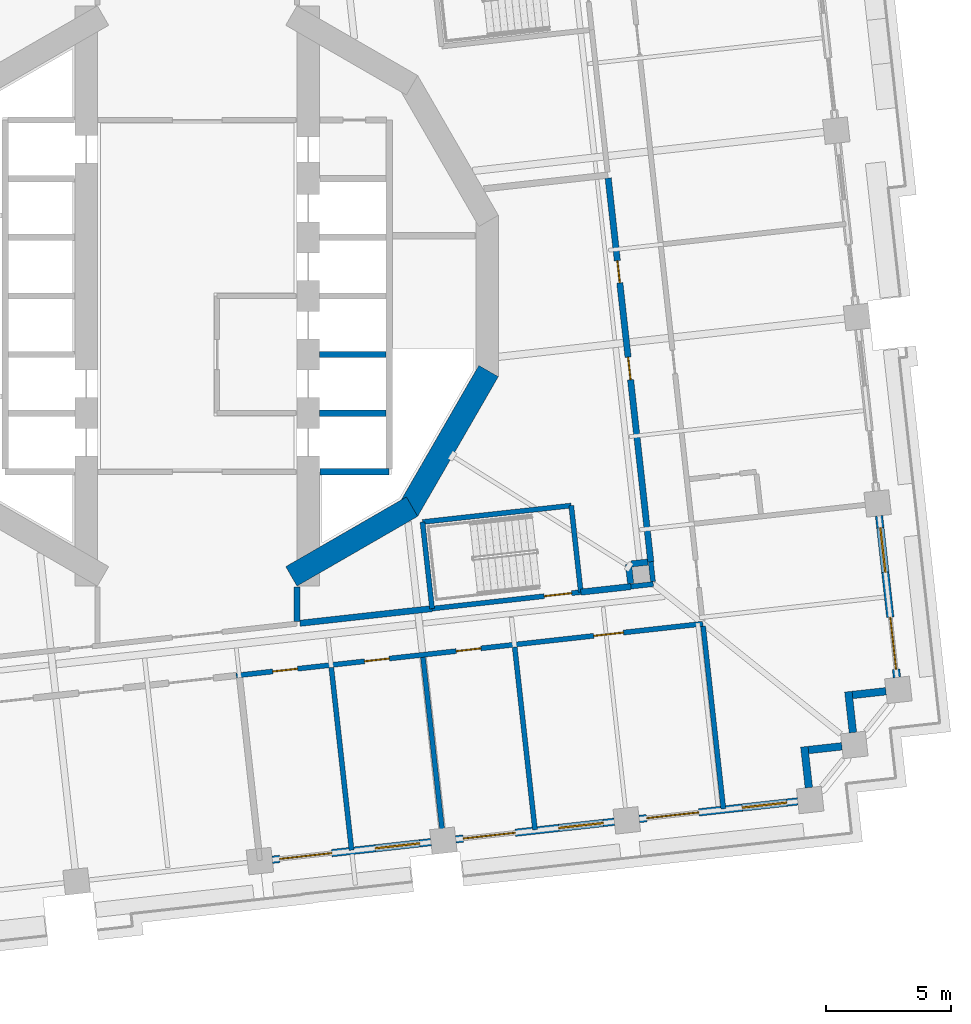
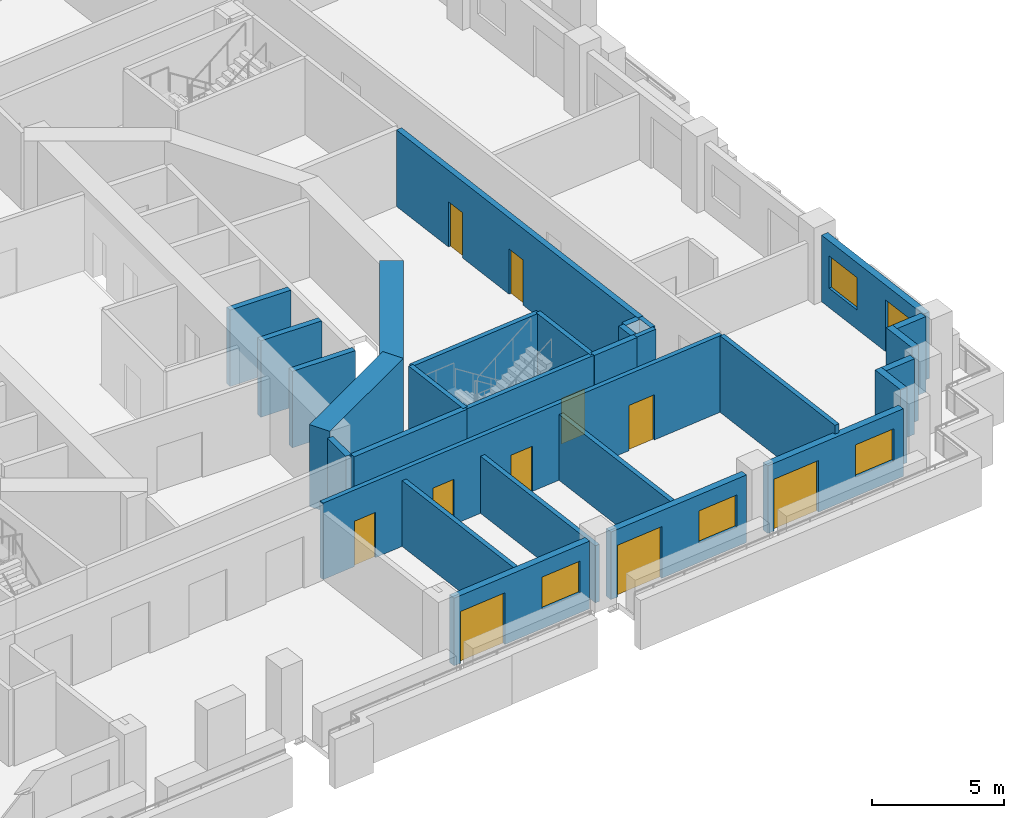
# One storey, part 6 of 18: 30 walls, 11 doors, 4 windows, 15 openings.
"""IFC4 building model written with IfcOpenShell, lengths in metres."""

from ifc_helpers import new_model, si_unit, direction, frame, frame_2d, origin, place, context, subcontext, project, spatial, rectangle, extrude, material, layer, layer_set, type_object, element, fill, save


model = new_model("IFC4")

# Units and contexts
model_context = context("Model", 3, precision=1e-05, world=origin(), true_north=direction((0.0, 1.0)))
body_context = subcontext(model_context, "Body", "Model", "MODEL_VIEW")
ifc_project = project(units=[si_unit("LENGTHUNIT", "METRE"), si_unit("AREAUNIT", "SQUARE_METRE"), si_unit("VOLUMEUNIT", "CUBIC_METRE"), si_unit("PLANEANGLEUNIT", "RADIAN"), si_unit("MASSUNIT", "GRAM", prefix="KILO")], contexts=[model_context])

# Site, building, storey
site_placement = place(None, origin())
site = spatial("IfcSite", under=ifc_project, at=site_placement, CompositionType="ELEMENT")
building_placement = place(site_placement, origin())
building = spatial("IfcBuilding", under=site, at=building_placement, Name="Cantera Rosa Tower", CompositionType="ELEMENT")
storey_placement = place(building_placement, frame((0.0, 0.0, 76.699951171875)))
storey = spatial("IfcBuildingStorey", under=building, at=storey_placement, Name="L16", CompositionType="ELEMENT", Elevation=76.699951171875)

# Wall, openings, doors
ifc_material_1 = material(Name="Gypsum board partition")
ifc_layer_1 = layer(ifc_material_1, 0.199951171875)
ifc_layer_set_1 = layer_set([ifc_layer_1], Name="CORRIDOR WALL 200 H3550")
wall_type_1 = type_object("IfcWallType", Name="CORRIDOR WALL 200 H3550", PredefinedType="PARTITIONING", material=ifc_layer_set_1)
wall_1_placement = place(storey_placement, frame((1.5634765625, -15.220458984375, 0.0), z_axis=(0.0, 0.0, 1.0), x_axis=(0.993896854699, 0.110313381866, 0.0)))
wall_1 = element("IfcWall", 1, at=wall_1_placement, inside=storey, type_object=wall_type_1, Name="CORRIDOR WALL L16-015", PredefinedType="PARTITIONING", context=body_context, shape_type="SweptSolid", body=[
    extrude(rectangle(XDim=18.8251953125, YDim=0.199951171875, at=frame_2d((9.41259765625, 0.0))), origin(), (0.0, 0.0, 1.0), 3.550048828125),
])
opening_1_placement = place(wall_1_placement, frame((1.47509765625, 0.0, 0.0)))
opening_1 = element("IfcOpeningElement", 2, at=opening_1_placement, cuts=wall_1, Name="Opening L16-037", PredefinedType="OPENING", context=body_context, shape_type="SweptSolid", body=[
    extrude(rectangle(XDim=1.0, YDim=2.10009765625, at=frame_2d((0.5, 1.050048828125))), frame((0.0, 0.10986328125, 0.0), z_axis=(0.0, -1.0, 0.0), x_axis=(1.0, 0.0, 0.0)), (0.0, 0.0, 1.0), 0.219970703125),
])
opening_2_placement = place(wall_1_placement, frame((5.175048828125, 0.0, 0.0)))
opening_2 = element("IfcOpeningElement", 3, at=opening_2_placement, cuts=wall_1, Name="Opening L16-038", PredefinedType="OPENING", context=body_context, shape_type="SweptSolid", body=[
    extrude(rectangle(XDim=1.0, YDim=2.10009765625, at=frame_2d((0.5, 1.050048828125))), frame((0.0, 0.10986328125, 0.0), z_axis=(0.0, -1.0, 0.0), x_axis=(1.0, 0.0, 0.0)), (0.0, 0.0, 1.0), 0.219970703125),
])
opening_3_placement = place(wall_1_placement, frame((8.875, 0.0, 0.0)))
opening_3 = element("IfcOpeningElement", 4, at=opening_3_placement, cuts=wall_1, Name="Opening L16-039", PredefinedType="OPENING", context=body_context, shape_type="SweptSolid", body=[
    extrude(rectangle(XDim=1.0, YDim=2.10009765625, at=frame_2d((0.5, 1.050048828125))), frame((0.0, 0.10986328125, 0.0), z_axis=(0.0, -1.0, 0.0), x_axis=(1.0, 0.0, 0.0)), (0.0, 0.0, 1.0), 0.219970703125),
])
opening_4_placement = place(wall_1_placement, frame((14.425048828125, 0.0, 0.0)))
opening_4 = element("IfcOpeningElement", 5, at=opening_4_placement, cuts=wall_1, Name="Opening L16-040", PredefinedType="OPENING", context=body_context, shape_type="SweptSolid", body=[
    extrude(rectangle(XDim=1.199951171875, YDim=2.10009765625, at=frame_2d((0.60009765625, 1.050048828125))), frame((0.0, 0.10986328125, 0.0), z_axis=(0.0, -1.0, 0.0), x_axis=(1.0, 0.0, 0.0)), (0.0, 0.0, 1.0), 0.219970703125),
])
ifc_material_2 = material(Name="Timber door leaf", Category="wood")
door_type_1 = type_object("IfcDoorType", Name="ROOM DOOR 1000x2100", OperationType="NOTDEFINED", PredefinedType="DOOR", material=ifc_material_2)
door_1_placement = place(opening_1_placement, origin())
door_1 = element("IfcDoor", 6, at=door_1_placement, inside=storey, type_object=door_type_1, Name="DOOR L16-037", OperationType="NOTDEFINED", OverallHeight=2.10009765625, OverallWidth=1.0, PredefinedType="DOOR", context=body_context, shape_type="SweptSolid", body=[
    extrude(rectangle(XDim=1.0, YDim=2.10009765625, at=frame_2d((0.5, 1.050048828125))), frame((0.0, 0.02490234375, 0.0), z_axis=(0.0, -1.0, 0.0), x_axis=(1.0, 0.0, 0.0)), (0.0, 0.0, 1.0), 0.050048828125),
])
fill(opening_1, door_1)
door_2_placement = place(opening_2_placement, origin())
door_2 = element("IfcDoor", 7, at=door_2_placement, inside=storey, type_object=door_type_1, Name="DOOR L16-038", OperationType="NOTDEFINED", OverallHeight=2.10009765625, OverallWidth=1.0, PredefinedType="DOOR", context=body_context, shape_type="SweptSolid", body=[
    extrude(rectangle(XDim=1.0, YDim=2.10009765625, at=frame_2d((0.5, 1.050048828125))), frame((0.0, 0.02490234375, 0.0), z_axis=(0.0, -1.0, 0.0), x_axis=(1.0, 0.0, 0.0)), (0.0, 0.0, 1.0), 0.050048828125),
])
fill(opening_2, door_2)
door_3_placement = place(opening_3_placement, origin())
door_3 = element("IfcDoor", 8, at=door_3_placement, inside=storey, type_object=door_type_1, Name="DOOR L16-039", OperationType="NOTDEFINED", OverallHeight=2.10009765625, OverallWidth=1.0, PredefinedType="DOOR", context=body_context, shape_type="SweptSolid", body=[
    extrude(rectangle(XDim=1.0, YDim=2.10009765625, at=frame_2d((0.5, 1.050048828125))), frame((0.0, 0.02490234375, 0.0), z_axis=(0.0, -1.0, 0.0), x_axis=(1.0, 0.0, 0.0)), (0.0, 0.0, 1.0), 0.050048828125),
])
fill(opening_3, door_3)
ifc_material_3 = material(Name="Timber door leaf", Category="wood")
door_type_2 = type_object("IfcDoorType", Name="ROOM DOOR 1200x2100", OperationType="NOTDEFINED", PredefinedType="DOOR", material=ifc_material_3)
door_4_placement = place(opening_4_placement, origin())
door_4 = element("IfcDoor", 9, at=door_4_placement, inside=storey, type_object=door_type_2, Name="DOOR L16-040", OperationType="NOTDEFINED", OverallHeight=2.10009765625, OverallWidth=1.199951171875, PredefinedType="DOOR", context=body_context, shape_type="SweptSolid", body=[
    extrude(rectangle(XDim=1.199951171875, YDim=2.10009765625, at=frame_2d((0.60009765625, 1.050048828125))), frame((0.0, 0.02490234375, 0.0), z_axis=(0.0, -1.0, 0.0), x_axis=(1.0, 0.0, 0.0)), (0.0, 0.0, 1.0), 0.050048828125),
])
fill(opening_4, door_4)

# Walls
wall_2_placement = place(storey_placement, frame((17.3916015625, -11.652587890625, 0.0), z_axis=(0.0, 0.0, 1.0), x_axis=(0.993887042245, 0.110401753874, 0.0)))
element("IfcWall", 10, at=wall_2_placement, inside=storey, type_object=wall_type_1, Name="CORRIDOR WALL L16-094", PredefinedType="PARTITIONING", context=body_context, shape_type="SweptSolid", body=[
    extrude(rectangle(XDim=0.900146484375, YDim=0.199951171875, at=frame_2d((0.4501953125, 0.0))), origin(), (0.0, 0.0, 1.0), 3.550048828125),
])
wall_3_placement = place(storey_placement, frame((18.27490234375, -11.453857421875, 0.0), z_axis=(0.0, 0.0, 1.0), x_axis=(-0.110163574714, 0.993913470482, 0.0)))
element("IfcWall", 11, at=wall_3_placement, inside=storey, type_object=wall_type_1, Name="CORRIDOR WALL L16-097", PredefinedType="PARTITIONING", context=body_context, shape_type="SweptSolid", body=[
    extrude(rectangle(XDim=0.800048828125, YDim=0.199951171875, at=frame_2d((0.39990234375, 0.0))), origin(), (0.0, 0.0, 1.0), 3.550048828125),
])
ifc_material_4 = material(Name="Hollow clay masonry with cantera stone cladding", Category="masonry")
ifc_layer_2 = layer(ifc_material_4, 0.300048828125)
ifc_layer_set_2 = layer_set([ifc_layer_2], Name="EW-LOGGIA 300")
wall_type_2 = type_object("IfcWallType", Name="EW-LOGGIA 300", PredefinedType="SOLIDWALL", material=ifc_layer_set_2)
wall_4_placement = place(storey_placement, frame((24.5244140625, -19.71484375, 0.0), z_axis=(0.0, 0.0, 1.0), x_axis=(-0.110236638423, 0.993905369514, 0.0)))
element("IfcWall", 12, at=wall_4_placement, inside=storey, type_object=wall_type_2, Name="EN-L16-W29a", PredefinedType="SOLIDWALL", context=body_context, shape_type="SweptSolid", body=[
    extrude(rectangle(XDim=1.64990234375, YDim=0.300048828125, at=frame_2d((0.824951171875, 0.0))), origin(), (0.0, 0.0, 1.0), 3.5),
])
wall_5_placement = place(storey_placement, frame((24.508056640625, -18.20751953125, 0.0), z_axis=(0.0, 0.0, 1.0), x_axis=(0.993896959738, 0.110312435488, 0.0)))
element("IfcWall", 13, at=wall_5_placement, inside=storey, type_object=wall_type_2, Name="EN-L16-W29b", PredefinedType="SOLIDWALL", context=body_context, shape_type="SweptSolid", body=[
    extrude(rectangle(XDim=1.35009765625, YDim=0.300048828125, at=frame_2d((0.675048828125, 0.0))), origin(), (0.0, 0.0, 1.0), 3.5),
])
wall_6_placement = place(storey_placement, frame((26.291748046875, -17.506591796875, 0.0), z_axis=(0.0, 0.0, 1.0), x_axis=(-0.110382805355, 0.993889146878, 0.0)))
element("IfcWall", 14, at=wall_6_placement, inside=storey, type_object=wall_type_2, Name="EN-L16-W30a", PredefinedType="SOLIDWALL", context=body_context, shape_type="SweptSolid", body=[
    extrude(rectangle(XDim=1.64990234375, YDim=0.300048828125, at=frame_2d((0.824951171875, 0.0))), origin(), (0.0, 0.0, 1.0), 3.5),
])
wall_7_placement = place(storey_placement, frame((26.275146484375, -15.999267578125, 0.0), z_axis=(0.0, 0.0, 1.0), x_axis=(0.993896959738, 0.110312435488, 0.0)))
element("IfcWall", 15, at=wall_7_placement, inside=storey, type_object=wall_type_2, Name="EN-L16-W30b", PredefinedType="SOLIDWALL", context=body_context, shape_type="SweptSolid", body=[
    extrude(rectangle(XDim=1.35009765625, YDim=0.300048828125, at=frame_2d((0.675048828125, 0.0))), origin(), (0.0, 0.0, 1.0), 3.5),
])

# Wall, openings, window, door
ifc_material_5 = material(Name="Hollow clay masonry with cantera stone cladding", Category="masonry")
ifc_layer_3 = layer(ifc_material_5, 0.300048828125)
ifc_layer_set_3 = layer_set([ifc_layer_3], Name="EW-LOGGIA 300 H3090")
wall_type_3 = type_object("IfcWallType", Name="EW-LOGGIA 300 H3090", PredefinedType="SOLIDWALL", material=ifc_layer_set_3)
wall_8_placement = place(storey_placement, frame((28.058837890625, -15.298095703125, 0.0), z_axis=(0.0, 0.0, 1.0), x_axis=(-0.110312341265, 0.993896970196, 0.0)))
wall_8 = element("IfcWall", 16, at=wall_8_placement, inside=storey, type_object=wall_type_3, Name="EN-L16-W01", PredefinedType="SOLIDWALL", context=body_context, shape_type="SweptSolid", body=[
    extrude(rectangle(XDim=6.52001953125, YDim=0.300048828125, at=frame_2d((3.260009765625, 0.0))), origin(), (0.0, 0.0, 1.0), 3.090087890625),
])
opening_5_placement = place(wall_8_placement, frame((0.330078125, 0.0, 0.0)))
opening_5 = element("IfcOpeningElement", 17, at=opening_5_placement, cuts=wall_8, Name="Opening L16-TD01", PredefinedType="OPENING", context=body_context, shape_type="SweptSolid", body=[
    extrude(rectangle(XDim=2.10009765625, YDim=2.39990234375, at=frame_2d((1.050048828125, 1.199951171875))), frame((0.0, 0.159912109375, 0.0), z_axis=(0.0, -1.0, 0.0), x_axis=(1.0, 0.0, 0.0)), (0.0, 0.0, 1.0), 0.320068359375),
])
opening_6_placement = place(wall_8_placement, frame((4.239990234375, 0.0, 0.89990234375)))
opening_6 = element("IfcOpeningElement", 18, at=opening_6_placement, cuts=wall_8, Name="Opening L16-W02", PredefinedType="OPENING", context=body_context, shape_type="SweptSolid", body=[
    extrude(rectangle(XDim=1.800048828125, YDim=1.5, at=frame_2d((0.89990234375, 0.75))), frame((0.0, 0.159912109375, 0.0), z_axis=(0.0, -1.0, 0.0), x_axis=(1.0, 0.0, 0.0)), (0.0, 0.0, 1.0), 0.320068359375),
])
ifc_material_6 = material(Name="Aluminium frame with clear glass", Category="aluminium")
window_type = type_object("IfcWindowType", Name="Hotel room window 1800x1500", PartitioningType="DOUBLE_PANEL_VERTICAL", PredefinedType="WINDOW", material=ifc_material_6)
window_1_placement = place(opening_6_placement, origin())
window_1 = element("IfcWindow", 19, at=window_1_placement, inside=storey, type_object=window_type, Name="WINDOW L16-W02", OverallHeight=1.5, OverallWidth=1.800048828125, PartitioningType="SINGLE_PANEL", PredefinedType="WINDOW", context=body_context, shape_type="SweptSolid", body=[
    extrude(rectangle(XDim=1.800048828125, YDim=1.5, at=frame_2d((0.89990234375, 0.75))), frame((0.0, 0.030029296875, 0.0), z_axis=(0.0, -1.0, 0.0), x_axis=(1.0, 0.0, 0.0)), (0.0, 0.0, 1.0), 0.06005859375),
])
fill(opening_6, window_1)
ifc_material_7 = material(Name="Aluminium frame with clear glass", Category="aluminium")
door_type_3 = type_object("IfcDoorType", Name="TD-H 2100x2400", OperationType="NOTDEFINED", PredefinedType="DOOR", material=ifc_material_7)
door_5_placement = place(opening_5_placement, origin())
door_5 = element("IfcDoor", 20, at=door_5_placement, inside=storey, type_object=door_type_3, Name="LOGGIA DOOR L16-TD01", OperationType="SLIDING_TO_LEFT", OverallHeight=2.39990234375, OverallWidth=2.10009765625, PredefinedType="DOOR", context=body_context, shape_type="SweptSolid", body=[
    extrude(rectangle(XDim=2.10009765625, YDim=2.39990234375, at=frame_2d((1.050048828125, 1.199951171875))), frame((0.0, 0.02490234375, 0.0), z_axis=(0.0, -1.0, 0.0), x_axis=(1.0, 0.0, 0.0)), (0.0, 0.0, 1.0), 0.050048828125),
])
fill(opening_5, door_5)

ifc_material_8 = material(Name="Hollow clay masonry with cantera stone cladding", Category="masonry")
ifc_layer_4 = layer(ifc_material_8, 0.300048828125)
ifc_layer_set_4 = layer_set([ifc_layer_4], Name="EW-LOGGIA 300 H3140")
wall_type_4 = type_object("IfcWallType", Name="EW-LOGGIA 300 H3140", PredefinedType="SOLIDWALL", material=ifc_layer_set_4)
wall_9_placement = place(storey_placement, frame((3.011962890625, -22.605712890625, 0.0), z_axis=(0.0, 0.0, 1.0), x_axis=(0.993896288542, 0.110318482689, 0.0)))
wall_9 = element("IfcWall", 21, at=wall_9_placement, inside=storey, type_object=wall_type_4, Name="EN-L16-W26", PredefinedType="SOLIDWALL", context=body_context, shape_type="SweptSolid", body=[
    extrude(rectangle(XDim=6.400146484375, YDim=0.300048828125, at=frame_2d((3.2001953125, 0.0))), origin(), (0.0, 0.0, 1.0), 3.14013671875),
])
opening_7_placement = place(wall_9_placement, frame((0.300048828125, 0.0, 0.0)))
opening_7 = element("IfcOpeningElement", 22, at=opening_7_placement, cuts=wall_9, Name="Opening L16-TD35", PredefinedType="OPENING", context=body_context, shape_type="SweptSolid", body=[
    extrude(rectangle(XDim=2.10009765625, YDim=2.39990234375, at=frame_2d((1.050048828125, 1.199951171875))), frame((0.0, 0.159912109375, 0.0), z_axis=(0.0, -1.0, 0.0), x_axis=(1.0, 0.0, 0.0)), (0.0, 0.0, 1.0), 0.320068359375),
])
opening_8_placement = place(wall_9_placement, frame((4.14990234375, 0.0, 0.89990234375)))
opening_8 = element("IfcOpeningElement", 23, at=opening_8_placement, cuts=wall_9, Name="Opening L16-W36", PredefinedType="OPENING", context=body_context, shape_type="SweptSolid", body=[
    extrude(rectangle(XDim=1.800048828125, YDim=1.5, at=frame_2d((0.89990234375, 0.75))), frame((0.0, 0.159912109375, 0.0), z_axis=(0.0, -1.0, 0.0), x_axis=(1.0, 0.0, 0.0)), (0.0, 0.0, 1.0), 0.320068359375),
])
window_2_placement = place(opening_8_placement, origin())
window_2 = element("IfcWindow", 24, at=window_2_placement, inside=storey, type_object=window_type, Name="WINDOW L16-W36", OverallHeight=1.5, OverallWidth=1.800048828125, PartitioningType="SINGLE_PANEL", PredefinedType="WINDOW", context=body_context, shape_type="SweptSolid", body=[
    extrude(rectangle(XDim=1.800048828125, YDim=1.5, at=frame_2d((0.89990234375, 0.75))), frame((0.0, 0.030029296875, 0.0), z_axis=(0.0, -1.0, 0.0), x_axis=(1.0, 0.0, 0.0)), (0.0, 0.0, 1.0), 0.06005859375),
])
fill(opening_8, window_2)
door_6_placement = place(opening_7_placement, origin())
door_6 = element("IfcDoor", 25, at=door_6_placement, inside=storey, type_object=door_type_3, Name="LOGGIA DOOR L16-TD35", OperationType="SLIDING_TO_LEFT", OverallHeight=2.39990234375, OverallWidth=2.10009765625, PredefinedType="DOOR", context=body_context, shape_type="SweptSolid", body=[
    extrude(rectangle(XDim=2.10009765625, YDim=2.39990234375, at=frame_2d((1.050048828125, 1.199951171875))), frame((0.0, 0.02490234375, 0.0), z_axis=(0.0, -1.0, 0.0), x_axis=(1.0, 0.0, 0.0)), (0.0, 0.0, 1.0), 0.050048828125),
])
fill(opening_7, door_6)

wall_10_placement = place(storey_placement, frame((10.366943359375, -21.789306640625, 0.0), z_axis=(0.0, 0.0, 1.0), x_axis=(0.993900006422, 0.110284981906, 0.0)))
wall_10 = element("IfcWall", 26, at=wall_10_placement, inside=storey, type_object=wall_type_4, Name="EN-L16-W27", PredefinedType="SOLIDWALL", context=body_context, shape_type="SweptSolid", body=[
    extrude(rectangle(XDim=6.39990234375, YDim=0.300048828125, at=frame_2d((3.199951171875, 0.0))), origin(), (0.0, 0.0, 1.0), 3.14013671875),
])
opening_9_placement = place(wall_10_placement, frame((0.300048828125, 0.0, 0.0)))
opening_9 = element("IfcOpeningElement", 27, at=opening_9_placement, cuts=wall_10, Name="Opening L16-TD37", PredefinedType="OPENING", context=body_context, shape_type="SweptSolid", body=[
    extrude(rectangle(XDim=2.10009765625, YDim=2.39990234375, at=frame_2d((1.050048828125, 1.199951171875))), frame((0.0, 0.159912109375, 0.0), z_axis=(0.0, -1.0, 0.0), x_axis=(1.0, 0.0, 0.0)), (0.0, 0.0, 1.0), 0.320068359375),
])
opening_10_placement = place(wall_10_placement, frame((4.14990234375, 0.0, 0.89990234375)))
opening_10 = element("IfcOpeningElement", 28, at=opening_10_placement, cuts=wall_10, Name="Opening L16-W38", PredefinedType="OPENING", context=body_context, shape_type="SweptSolid", body=[
    extrude(rectangle(XDim=1.800048828125, YDim=1.5, at=frame_2d((0.89990234375, 0.75))), frame((0.0, 0.159912109375, 0.0), z_axis=(0.0, -1.0, 0.0), x_axis=(1.0, 0.0, 0.0)), (0.0, 0.0, 1.0), 0.320068359375),
])
window_3_placement = place(opening_10_placement, origin())
window_3 = element("IfcWindow", 29, at=window_3_placement, inside=storey, type_object=window_type, Name="WINDOW L16-W38", OverallHeight=1.5, OverallWidth=1.800048828125, PartitioningType="SINGLE_PANEL", PredefinedType="WINDOW", context=body_context, shape_type="SweptSolid", body=[
    extrude(rectangle(XDim=1.800048828125, YDim=1.5, at=frame_2d((0.89990234375, 0.75))), frame((0.0, 0.030029296875, 0.0), z_axis=(0.0, -1.0, 0.0), x_axis=(1.0, 0.0, 0.0)), (0.0, 0.0, 1.0), 0.06005859375),
])
fill(opening_10, window_3)
door_7_placement = place(opening_9_placement, origin())
door_7 = element("IfcDoor", 30, at=door_7_placement, inside=storey, type_object=door_type_3, Name="LOGGIA DOOR L16-TD37", OperationType="SLIDING_TO_LEFT", OverallHeight=2.39990234375, OverallWidth=2.10009765625, PredefinedType="DOOR", context=body_context, shape_type="SweptSolid", body=[
    extrude(rectangle(XDim=2.10009765625, YDim=2.39990234375, at=frame_2d((1.050048828125, 1.199951171875))), frame((0.0, 0.02490234375, 0.0), z_axis=(0.0, -1.0, 0.0), x_axis=(1.0, 0.0, 0.0)), (0.0, 0.0, 1.0), 0.050048828125),
])
fill(opening_9, door_7)

wall_11_placement = place(storey_placement, frame((17.7216796875, -20.97314453125, 0.0), z_axis=(0.0, 0.0, 1.0), x_axis=(0.993896288542, 0.110318482689, 0.0)))
wall_11 = element("IfcWall", 31, at=wall_11_placement, inside=storey, type_object=wall_type_4, Name="EN-L16-W28", PredefinedType="SOLIDWALL", context=body_context, shape_type="SweptSolid", body=[
    extrude(rectangle(XDim=6.400146484375, YDim=0.300048828125, at=frame_2d((3.2001953125, 0.0))), origin(), (0.0, 0.0, 1.0), 3.14013671875),
])
opening_11_placement = place(wall_11_placement, frame((0.300048828125, 0.0, 0.0)))
opening_11 = element("IfcOpeningElement", 32, at=opening_11_placement, cuts=wall_11, Name="Opening L16-TD39", PredefinedType="OPENING", context=body_context, shape_type="SweptSolid", body=[
    extrude(rectangle(XDim=2.10009765625, YDim=2.39990234375, at=frame_2d((1.050048828125, 1.199951171875))), frame((0.0, 0.159912109375, 0.0), z_axis=(0.0, -1.0, 0.0), x_axis=(1.0, 0.0, 0.0)), (0.0, 0.0, 1.0), 0.320068359375),
])
opening_12_placement = place(wall_11_placement, frame((4.14990234375, 0.0, 0.89990234375)))
opening_12 = element("IfcOpeningElement", 33, at=opening_12_placement, cuts=wall_11, Name="Opening L16-W40", PredefinedType="OPENING", context=body_context, shape_type="SweptSolid", body=[
    extrude(rectangle(XDim=1.800048828125, YDim=1.5, at=frame_2d((0.89990234375, 0.75))), frame((0.0, 0.159912109375, 0.0), z_axis=(0.0, -1.0, 0.0), x_axis=(1.0, 0.0, 0.0)), (0.0, 0.0, 1.0), 0.320068359375),
])
window_4_placement = place(opening_12_placement, origin())
window_4 = element("IfcWindow", 34, at=window_4_placement, inside=storey, type_object=window_type, Name="WINDOW L16-W40", OverallHeight=1.5, OverallWidth=1.800048828125, PartitioningType="SINGLE_PANEL", PredefinedType="WINDOW", context=body_context, shape_type="SweptSolid", body=[
    extrude(rectangle(XDim=1.800048828125, YDim=1.5, at=frame_2d((0.89990234375, 0.75))), frame((0.0, 0.030029296875, 0.0), z_axis=(0.0, -1.0, 0.0), x_axis=(1.0, 0.0, 0.0)), (0.0, 0.0, 1.0), 0.06005859375),
])
fill(opening_12, window_4)
door_8_placement = place(opening_11_placement, origin())
door_8 = element("IfcDoor", 35, at=door_8_placement, inside=storey, type_object=door_type_3, Name="LOGGIA DOOR L16-TD39", OperationType="SLIDING_TO_LEFT", OverallHeight=2.39990234375, OverallWidth=2.10009765625, PredefinedType="DOOR", context=body_context, shape_type="SweptSolid", body=[
    extrude(rectangle(XDim=2.10009765625, YDim=2.39990234375, at=frame_2d((1.050048828125, 1.199951171875))), frame((0.0, 0.02490234375, 0.0), z_axis=(0.0, -1.0, 0.0), x_axis=(1.0, 0.0, 0.0)), (0.0, 0.0, 1.0), 0.050048828125),
])
fill(opening_11, door_8)

# Walls
ifc_material_9 = material(Name="Gypsum board partition")
ifc_layer_5 = layer(ifc_material_9, 0.199951171875)
ifc_layer_set_5 = layer_set([ifc_layer_5], Name="PARTITION 200 H2650")
wall_type_5 = type_object("IfcWallType", Name="PARTITION 200 H2650", PredefinedType="PARTITIONING", material=ifc_layer_set_5)
wall_12_placement = place(storey_placement, frame((9.0537109375, -14.48974609375, 0.0), z_axis=(0.0, 0.0, 1.0), x_axis=(0.11031154238, -0.993897058864, 0.0)))
element("IfcWall", 36, at=wall_12_placement, inside=storey, type_object=wall_type_5, Name="PARTITION L16-072", PredefinedType="PARTITIONING", context=body_context, shape_type="SweptSolid", body=[
    extrude(rectangle(XDim=7.369873046875, YDim=0.199951171875, at=frame_2d((3.68505859375, 0.0))), origin(), (0.0, 0.0, 1.0), 2.650146484375),
])
ifc_material_10 = material(Name="Gypsum board partition")
ifc_layer_6 = layer(ifc_material_10, 0.199951171875)
ifc_layer_set_6 = layer_set([ifc_layer_6], Name="PARTITION 200 H3050")
wall_type_6 = type_object("IfcWallType", Name="PARTITION 200 H3050", PredefinedType="PARTITIONING", material=ifc_layer_set_6)
for number, where, z_axis, x_axis, name in (
    (37, (5.376220703125, -14.89794921875, 0.0), (0.0, 0.0, 1.0), (0.11031154238, -0.993897058864, 0.0), "PARTITION L16-064"),
    (38, (12.731201171875, -14.08154296875, 0.0), (0.0, 0.0, 1.0), (0.11031154238, -0.993897058864, 0.0), "PARTITION L16-078"),
):
    element("IfcWall", number, at=place(storey_placement, frame(where, z_axis=z_axis, x_axis=x_axis)), inside=storey, type_object=wall_type_6, Name=name, PredefinedType="PARTITIONING", context=body_context, shape_type="SweptSolid", body=[
        extrude(rectangle(XDim=7.369873046875, YDim=0.199951171875, at=frame_2d((3.68505859375, 0.0))), origin(), (0.0, 0.0, 1.0), 3.050048828125),
    ])
ifc_material_11 = material(Name="Gypsum board partition")
ifc_layer_7 = layer(ifc_material_11, 0.199951171875)
ifc_layer_set_7 = layer_set([ifc_layer_7], Name="PARTITION 200 H3550")
wall_type_7 = type_object("IfcWallType", Name="PARTITION 200 H3550", PredefinedType="PARTITIONING", material=ifc_layer_set_7)
wall_13_placement = place(storey_placement, frame((21.09765625, -20.568115234375, 0.0), z_axis=(0.0, 0.0, 1.0), x_axis=(-0.11031154238, 0.993897058864, 0.0)))
element("IfcWall", 39, at=wall_13_placement, inside=storey, type_object=wall_type_7, Name="PARTITION L16-101", PredefinedType="PARTITIONING", context=body_context, shape_type="SweptSolid", body=[
    extrude(rectangle(XDim=7.369873046875, YDim=0.199951171875, at=frame_2d((3.68505859375, 0.0))), origin(), (0.0, 0.0, 1.0), 3.550048828125),
])
ifc_material_12 = material(Name="Concrete C70/85", Category="concrete")
ifc_layer_8 = layer(ifc_material_12, 0.89990234375)
ifc_layer_set_8 = layer_set([ifc_layer_8], Name="RC CORE WALL 900 C70/85")
wall_type_8 = type_object("IfcWallType", Name="RC CORE WALL 900 C70/85", PredefinedType="SHEAR", material=ifc_layer_set_8)
wall_14_placement = place(storey_placement, frame((11.684326171875, -3.01025390625, 0.0), z_axis=(0.0, 0.0, 1.0), x_axis=(-0.499990282633, -0.866031014036, 0.0)))
element("IfcWall", 40, at=wall_14_placement, inside=storey, type_object=wall_type_8, Name="CW-E4 L16", PredefinedType="SHEAR", context=body_context, shape_type="SweptSolid", body=[
    extrude(rectangle(XDim=6.470458984375, YDim=0.89990234375, at=frame_2d((3.2353515625, 0.0))), origin(), (0.0, 0.0, 1.0), 3.800048828125),
])
wall_15_placement = place(storey_placement, frame((8.61376953125, -8.44921875, 0.0), z_axis=(0.0, 0.0, 1.0), x_axis=(-0.866026961591, -0.49999730179, 0.0)))
element("IfcWall", 41, at=wall_15_placement, inside=storey, type_object=wall_type_8, Name="CW-E5 L16", PredefinedType="SHEAR", context=body_context, shape_type="SweptSolid", body=[
    extrude(rectangle(XDim=5.58740234375, YDim=0.89990234375, at=frame_2d((2.793701171875, 0.0))), origin(), (0.0, 0.0, 1.0), 3.800048828125),
])
ifc_material_13 = material(Name="Masonry blockwork", Category="masonry")
ifc_layer_9 = layer(ifc_material_13, 0.25)
ifc_layer_set_9 = layer_set([ifc_layer_9], Name="SHAFT WALL 250 H3550")
wall_type_9 = type_object("IfcWallType", Name="SHAFT WALL 250 H3550", PredefinedType="SOLIDWALL", material=ifc_layer_set_9)
wall_16_placement = place(storey_placement, frame((4.0, -13.058837890625, 0.0), z_axis=(0.0, 0.0, 1.0), x_axis=(0.0, 1.0, 0.0)))
element("IfcWall", 42, at=wall_16_placement, inside=storey, type_object=wall_type_9, Name="SHAFT WALL L16-058", PredefinedType="SOLIDWALL", context=body_context, shape_type="SweptSolid", body=[
    extrude(rectangle(XDim=1.3916015625, YDim=0.25, at=frame_2d((0.69580078125, 0.0))), origin(), (0.0, 0.0, 1.0), 3.550048828125),
])
wall_17_placement = place(storey_placement, frame((4.119384765625, -13.125732421875, 0.0), z_axis=(0.0, 0.0, 1.0), x_axis=(0.993897686816, 0.110305884435, 0.0)))
element("IfcWall", 43, at=wall_17_placement, inside=storey, type_object=wall_type_9, Name="SHAFT WALL L16-059", PredefinedType="SOLIDWALL", context=body_context, shape_type="SweptSolid", body=[
    extrude(rectangle(XDim=5.331787109375, YDim=0.25, at=frame_2d((2.666015625, 0.0))), origin(), (0.0, 0.0, 1.0), 3.550048828125),
])
wall_18_placement = place(storey_placement, frame((4.89990234375, -4.699951171875, 0.0), z_axis=(0.0, 0.0, 1.0), x_axis=(1.0, 0.0, 0.0)))
element("IfcWall", 44, at=wall_18_placement, inside=storey, type_object=wall_type_9, Name="SHAFT WALL L16-061", PredefinedType="SOLIDWALL", context=body_context, shape_type="SweptSolid", body=[
    extrude(rectangle(XDim=2.675048828125, YDim=0.25, at=frame_2d((1.33740234375, 0.0))), origin(), (0.0, 0.0, 1.0), 3.550048828125),
])
wall_19_placement = place(storey_placement, frame((4.929931640625, -7.050048828125, 0.0), z_axis=(0.0, 0.0, 1.0), x_axis=(1.0, 0.0, 0.0)))
element("IfcWall", 45, at=wall_19_placement, inside=storey, type_object=wall_type_9, Name="SHAFT WALL L16-063", PredefinedType="SOLIDWALL", context=body_context, shape_type="SweptSolid", body=[
    extrude(rectangle(XDim=2.77001953125, YDim=0.25, at=frame_2d((1.385009765625, 0.0))), origin(), (0.0, 0.0, 1.0), 3.550048828125),
])
wall_20_placement = place(storey_placement, frame((7.574951171875, -2.35009765625, 0.0), z_axis=(0.0, 0.0, 1.0), x_axis=(-1.0, 0.0, 0.0)))
element("IfcWall", 46, at=wall_20_placement, inside=storey, type_object=wall_type_9, Name="SHAFT WALL L16-066", PredefinedType="SOLIDWALL", context=body_context, shape_type="SweptSolid", body=[
    extrude(rectangle(XDim=2.675048828125, YDim=0.25, at=frame_2d((1.33740234375, 0.0))), origin(), (0.0, 0.0, 1.0), 3.550048828125),
])
wall_21_placement = place(storey_placement, frame((15.382080078125, -11.87548828125, 0.0), z_axis=(0.0, 0.0, 1.0), x_axis=(0.993904333438, 0.110245979398, 0.0)))
element("IfcWall", 47, at=wall_21_placement, inside=storey, type_object=wall_type_9, Name="SHAFT WALL L16-085", PredefinedType="SOLIDWALL", context=body_context, shape_type="SweptSolid", body=[
    extrude(rectangle(XDim=2.021728515625, YDim=0.25, at=frame_2d((1.0107421875, 0.0))), origin(), (0.0, 0.0, 1.0), 3.550048828125),
])
wall_22_placement = place(storey_placement, frame((17.292236328125, -10.758056640625, 0.0), z_axis=(0.0, 0.0, 1.0), x_axis=(0.110500240118, -0.993876097375, 0.0)))
element("IfcWall", 48, at=wall_22_placement, inside=storey, type_object=wall_type_9, Name="SHAFT WALL L16-093", PredefinedType="SOLIDWALL", context=body_context, shape_type="SweptSolid", body=[
    extrude(rectangle(XDim=0.780029296875, YDim=0.25, at=frame_2d((0.39013671875, 0.0))), origin(), (0.0, 0.0, 1.0), 3.550048828125),
])

# Wall, openings, doors
wall_23_placement = place(storey_placement, frame((18.186767578125, -10.65869140625, 0.0), z_axis=(0.0, 0.0, 1.0), x_axis=(-0.11030516166, 0.993897767032, 0.0)))
wall_23 = element("IfcWall", 49, at=wall_23_placement, inside=storey, type_object=wall_type_9, Name="SHAFT WALL L16-095", PredefinedType="SOLIDWALL", context=body_context, shape_type="SweptSolid", body=[
    extrude(rectangle(XDim=15.47998046875, YDim=0.25, at=frame_2d((7.739990234375, 0.0))), origin(), (0.0, 0.0, 1.0), 3.550048828125),
])
opening_13_placement = place(wall_23_placement, frame((11.25, 0.0, 0.0)))
opening_13 = element("IfcOpeningElement", 50, at=opening_13_placement, cuts=wall_23, Name="Opening L16-009", PredefinedType="OPENING", context=body_context, shape_type="SweptSolid", body=[
    extrude(rectangle(XDim=0.89990234375, YDim=2.10009765625, at=frame_2d((0.449951171875, 1.050048828125))), frame((0.0, 0.135009765625, 0.0), z_axis=(0.0, -1.0, 0.0), x_axis=(1.0, 0.0, 0.0)), (0.0, 0.0, 1.0), 0.27001953125),
])
opening_14_placement = place(wall_23_placement, frame((7.35009765625, 0.0, 0.0)))
opening_14 = element("IfcOpeningElement", 51, at=opening_14_placement, cuts=wall_23, Name="Opening L16-044", PredefinedType="OPENING", context=body_context, shape_type="SweptSolid", body=[
    extrude(rectangle(XDim=0.89990234375, YDim=2.10009765625, at=frame_2d((0.449951171875, 1.050048828125))), frame((0.0, 0.135009765625, 0.0), z_axis=(0.0, -1.0, 0.0), x_axis=(1.0, 0.0, 0.0)), (0.0, 0.0, 1.0), 0.27001953125),
])
ifc_material_14 = material(Name="Timber door leaf", Category="wood")
door_type_4 = type_object("IfcDoorType", Name="SERVICE DOOR 900x2100", OperationType="NOTDEFINED", PredefinedType="DOOR", material=ifc_material_14)
door_9_placement = place(opening_13_placement, origin())
door_9 = element("IfcDoor", 52, at=door_9_placement, inside=storey, type_object=door_type_4, Name="RISER DOOR L16-009", OperationType="NOTDEFINED", OverallHeight=2.10009765625, OverallWidth=0.89990234375, PredefinedType="DOOR", context=body_context, shape_type="SweptSolid", body=[
    extrude(rectangle(XDim=0.89990234375, YDim=2.10009765625, at=frame_2d((0.449951171875, 1.050048828125))), frame((0.0, 0.02490234375, 0.0), z_axis=(0.0, -1.0, 0.0), x_axis=(1.0, 0.0, 0.0)), (0.0, 0.0, 1.0), 0.050048828125),
])
fill(opening_13, door_9)
door_10_placement = place(opening_14_placement, origin())
door_10 = element("IfcDoor", 53, at=door_10_placement, inside=storey, type_object=door_type_4, Name="RISER DOOR L16-044", OperationType="NOTDEFINED", OverallHeight=2.10009765625, OverallWidth=0.89990234375, PredefinedType="DOOR", context=body_context, shape_type="SweptSolid", body=[
    extrude(rectangle(XDim=0.89990234375, YDim=2.10009765625, at=frame_2d((0.449951171875, 1.050048828125))), frame((0.0, 0.02490234375, 0.0), z_axis=(0.0, -1.0, 0.0), x_axis=(1.0, 0.0, 0.0)), (0.0, 0.0, 1.0), 0.050048828125),
])
fill(opening_14, door_10)

# Walls
wall_24_placement = place(storey_placement, frame((18.0673828125, -10.672119140625, 0.0), z_axis=(0.0, 0.0, 1.0), x_axis=(-0.993901771663, -0.11026907221, 0.0)))
element("IfcWall", 54, at=wall_24_placement, inside=storey, type_object=wall_type_9, Name="SHAFT WALL L16-096", PredefinedType="SOLIDWALL", context=body_context, shape_type="SweptSolid", body=[
    extrude(rectangle(XDim=0.65966796875, YDim=0.25, at=frame_2d((0.329833984375, 0.0))), origin(), (0.0, 0.0, 1.0), 3.550048828125),
])
ifc_material_15 = material(Name="Concrete C50/60", Category="concrete")
ifc_layer_10 = layer(ifc_material_15, 0.199951171875)
ifc_layer_set_10 = layer_set([ifc_layer_10], Name="STAIR WALL 200 H3550")
wall_type_10 = type_object("IfcWallType", Name="STAIR WALL 200 H3550", PredefinedType="SOLIDWALL", material=ifc_layer_set_10)
wall_25_placement = place(storey_placement, frame((9.033447265625, -9.066162109375, 0.0), z_axis=(0.0, 0.0, 1.0), x_axis=(0.11030110325, -0.993898217436, 0.0)))
element("IfcWall", 55, at=wall_25_placement, inside=storey, type_object=wall_type_10, Name="STAIR WALL L16-071", PredefinedType="SOLIDWALL", context=body_context, shape_type="SweptSolid", body=[
    extrude(rectangle(XDim=3.49267578125, YDim=0.199951171875, at=frame_2d((1.746337890625, 0.0))), origin(), (0.0, 0.0, 1.0), 3.550048828125),
])

# Wall, opening, door
wall_26_placement = place(storey_placement, frame((9.418701171875, -12.53759765625, 0.0), z_axis=(0.0, 0.0, 1.0), x_axis=(0.993892663362, 0.110351138256, 0.0)))
wall_26 = element("IfcWall", 56, at=wall_26_placement, inside=storey, type_object=wall_type_10, Name="STAIR WALL L16-073", PredefinedType="SOLIDWALL", context=body_context, shape_type="SweptSolid", body=[
    extrude(rectangle(XDim=6.0, YDim=0.199951171875, at=frame_2d((3.0, 0.0))), origin(), (0.0, 0.0, 1.0), 3.550048828125),
])
opening_15_placement = place(wall_26_placement, frame((4.52490234375, 0.0, 0.0)))
opening_15 = element("IfcOpeningElement", 57, at=opening_15_placement, cuts=wall_26, Name="Opening L16-004", PredefinedType="OPENING", context=body_context, shape_type="SweptSolid", body=[
    extrude(rectangle(XDim=1.10009765625, YDim=2.10009765625, at=frame_2d((0.550048828125, 1.050048828125))), frame((0.0, 0.10986328125, 0.0), z_axis=(0.0, -1.0, 0.0), x_axis=(1.0, 0.0, 0.0)), (0.0, 0.0, 1.0), 0.219970703125),
])
ifc_material_16 = material(Name="Steel S355J2 (EN 10025-2)", Category="steel")
door_type_5 = type_object("IfcDoorType", Name="STAIR DOOR 1100x2100", OperationType="NOTDEFINED", PredefinedType="DOOR", material=ifc_material_16)
door_11_placement = place(opening_15_placement, origin())
door_11 = element("IfcDoor", 58, at=door_11_placement, inside=storey, type_object=door_type_5, Name="DOOR L16-004", OperationType="NOTDEFINED", OverallHeight=2.10009765625, OverallWidth=1.10009765625, PredefinedType="DOOR", context=body_context, shape_type="SweptSolid", body=[
    extrude(rectangle(XDim=1.10009765625, YDim=2.10009765625, at=frame_2d((0.550048828125, 1.050048828125))), frame((0.0, 0.02490234375, 0.0), z_axis=(0.0, -1.0, 0.0), x_axis=(1.0, 0.0, 0.0)), (0.0, 0.0, 1.0), 0.050048828125),
])
fill(opening_15, door_11)

# Walls
wall_27_placement = place(storey_placement, frame((14.996826171875, -8.404296875, 0.0), z_axis=(0.0, 0.0, 1.0), x_axis=(-0.993897125329, -0.110310943534, 0.0)))
element("IfcWall", 59, at=wall_27_placement, inside=storey, type_object=wall_type_10, Name="STAIR WALL L16-082", PredefinedType="SOLIDWALL", context=body_context, shape_type="SweptSolid", body=[
    extrude(rectangle(XDim=6.0, YDim=0.199951171875, at=frame_2d((3.0, 0.0))), origin(), (0.0, 0.0, 1.0), 3.550048828125),
])
wall_28_placement = place(storey_placement, frame((15.382080078125, -11.87548828125, 0.0), z_axis=(0.0, 0.0, 1.0), x_axis=(-0.110308766705, 0.993897366929, 0.0)))
element("IfcWall", 60, at=wall_28_placement, inside=storey, type_object=wall_type_10, Name="STAIR WALL L16-084", PredefinedType="SOLIDWALL", context=body_context, shape_type="SweptSolid", body=[
    extrude(rectangle(XDim=3.492431640625, YDim=0.199951171875, at=frame_2d((1.74609375, 0.0))), origin(), (0.0, 0.0, 1.0), 3.550048828125),
])

save(model, "model.ifc")
